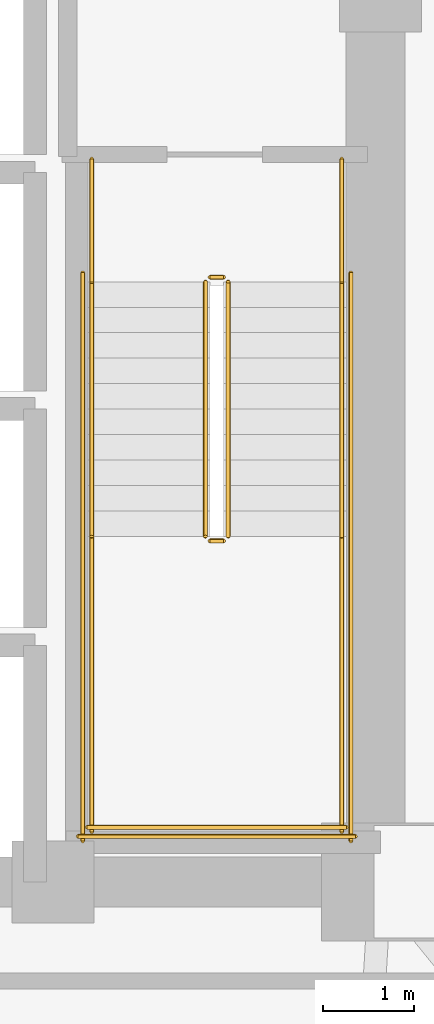
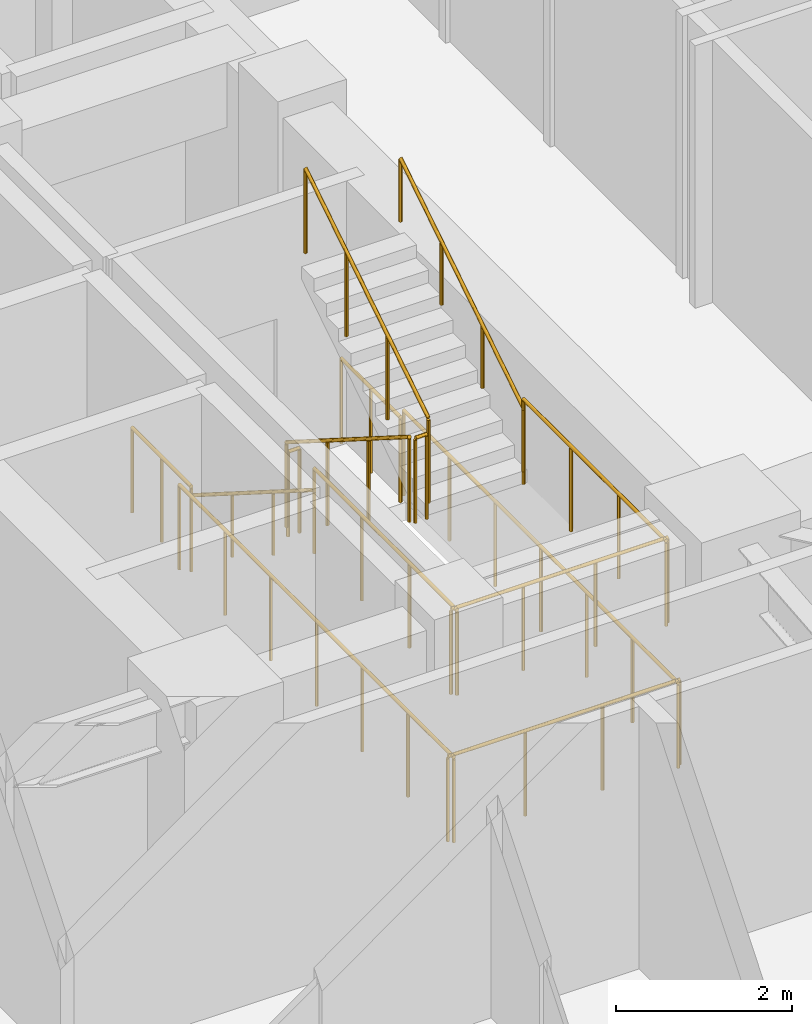
# One storey, part 11 of 11: 14 railings.
"""IFC4 building model written with IfcOpenShell, lengths in metres."""

from ifc_helpers import new_model, si_unit, direction, frame, origin, origin_2d, place, context, subcontext, project, spatial, circle, extrude, material, type_object, element, save


model = new_model("IFC4")

# Units and contexts
model_context = context("Model", 3, precision=1e-05, world=origin(), true_north=direction((0.0, 1.0)))
body_context = subcontext(model_context, "Body", "Model", "MODEL_VIEW")
ifc_project = project(units=[si_unit("LENGTHUNIT", "METRE"), si_unit("AREAUNIT", "SQUARE_METRE"), si_unit("VOLUMEUNIT", "CUBIC_METRE"), si_unit("PLANEANGLEUNIT", "RADIAN"), si_unit("MASSUNIT", "GRAM", prefix="KILO")], contexts=[model_context])

# Site, building, storey
site_placement = place(None, origin())
site = spatial("IfcSite", under=ifc_project, at=site_placement, CompositionType="ELEMENT")
building_placement = place(site_placement, origin())
building = spatial("IfcBuilding", under=site, at=building_placement, Name="Voryun Gate Residences", CompositionType="ELEMENT")
storey_placement = place(building_placement, frame((0.0, 0.0, 105.300048828125)))
storey = spatial("IfcBuildingStorey", under=building, at=storey_placement, Name="L25", CompositionType="ELEMENT", Elevation=105.300048828125)

# Railings
ifc_material_1 = material(Name="Painted steel", Category="steel")
railing_type_1 = type_object("IfcRailingType", Name="RAIL_STAIR_GUARD_1200", PredefinedType="GUARDRAIL", material=ifc_material_1)
railing_1_placement = place(storey_placement, frame((17.27490234375, -0.800048828125, 0.17724609375)))
element("IfcRailing", 1, at=railing_1_placement, inside=storey, type_object=railing_type_1, Name="L25 ST-E1 stair guard 1", PredefinedType="GUARDRAIL", context=body_context, shape_type="SweptSolid", body=[
    extrude(circle(Radius=0.02392578125, at=origin_2d()), frame((0.0, 0.0, 1.17578125), z_axis=(0.0, -0.844908973607, 0.534910110503), x_axis=(1.0, 0.0, 0.0)), (0.0, 0.0, 1.0), 3.31396484375),
    extrude(circle(Radius=0.02099609375, at=origin_2d()), origin(), (0.0, 0.0, 1.0), 1.15185546875),
    extrude(circle(Radius=0.02099609375, at=origin_2d()), frame((0.0, -0.933349609375, 0.5908203125)), (0.0, 0.0, 1.0), 1.15185546875),
    extrude(circle(Radius=0.02099609375, at=origin_2d()), frame((0.0, -1.86669921875, 1.181884765625)), (0.0, 0.0, 1.0), 1.15185546875),
    extrude(circle(Radius=0.02099609375, at=origin_2d()), frame((0.0, -2.800048828125, 1.772705078125)), (0.0, 0.0, 1.0), 1.15185546875),
])
railing_2_placement = place(storey_placement, frame((17.324951171875, -3.64990234375, 1.949951171875)))
element("IfcRailing", 2, at=railing_2_placement, inside=storey, type_object=railing_type_1, Name="L25 ST-E1 stair guard 2", PredefinedType="GUARDRAIL", context=body_context, shape_type="SweptSolid", body=[
    extrude(circle(Radius=0.02392578125, at=origin_2d()), frame((0.0, 0.0, 1.17578125), z_axis=(1.0, 0.0, 0.0), x_axis=(0.0, 1.0, 0.0)), (0.0, 0.0, 1.0), 0.150146484375),
    extrude(circle(Radius=0.02099609375, at=origin_2d()), origin(), (0.0, 0.0, 1.0), 1.15185546875),
    extrude(circle(Radius=0.02099609375, at=origin_2d()), frame((0.150146484375, 0.0, 0.0)), (0.0, 0.0, 1.0), 1.15185546875),
])
for number, where, name in (
    (3, (16.02490234375, -3.60009765625, 1.949951171875), "L25 ST-E1 stair guard 3"),
    (4, (18.77490234375, -3.60009765625, 1.949951171875), "L25 ST-E1 stair guard 4"),
):
    element("IfcRailing", number, at=place(storey_placement, frame(where)), inside=storey, type_object=railing_type_1, Name=name, PredefinedType="GUARDRAIL", context=body_context, shape_type="SweptSolid", body=[
        extrude(circle(Radius=0.02392578125, at=origin_2d()), frame((0.0, 0.0, 1.17578125), z_axis=(0.0, -1.0, 0.0), x_axis=(1.0, 0.0, 0.0)), (0.0, 0.0, 1.0), 3.25),
        extrude(circle(Radius=0.02099609375, at=origin_2d()), origin(), (0.0, 0.0, 1.0), 1.15185546875),
        extrude(circle(Radius=0.02099609375, at=origin_2d()), frame((0.0, -1.083251953125, 0.0)), (0.0, 0.0, 1.0), 1.15185546875),
        extrude(circle(Radius=0.02099609375, at=origin_2d()), frame((0.0, -2.166748046875, 0.0)), (0.0, 0.0, 1.0), 1.15185546875),
        extrude(circle(Radius=0.02099609375, at=origin_2d()), frame((0.0, -3.25, 0.0)), (0.0, 0.0, 1.0), 1.15185546875),
    ])
railing_3_placement = place(storey_placement, frame((15.97509765625, -6.800048828125, 1.949951171875)))
element("IfcRailing", 5, at=railing_3_placement, inside=storey, type_object=railing_type_1, Name="L25 ST-E1 stair guard 5", PredefinedType="GUARDRAIL", context=body_context, shape_type="SweptSolid", body=[
    extrude(circle(Radius=0.02392578125, at=origin_2d()), frame((0.0, 0.0, 1.17578125), z_axis=(1.0, 0.0, 0.0), x_axis=(0.0, 1.0, 0.0)), (0.0, 0.0, 1.0), 2.849853515625),
    extrude(circle(Radius=0.02099609375, at=origin_2d()), origin(), (0.0, 0.0, 1.0), 1.15185546875),
    extrude(circle(Radius=0.02099609375, at=origin_2d()), frame((0.949951171875, 0.0, 0.0)), (0.0, 0.0, 1.0), 1.15185546875),
    extrude(circle(Radius=0.02099609375, at=origin_2d()), frame((1.89990234375, 0.0, 0.0)), (0.0, 0.0, 1.0), 1.15185546875),
    extrude(circle(Radius=0.02099609375, at=origin_2d()), frame((2.849853515625, 0.0, 0.0)), (0.0, 0.0, 1.0), 1.15185546875),
])
railing_4_placement = place(storey_placement, frame((17.52490234375, -3.60009765625, 2.127197265625)))
element("IfcRailing", 6, at=railing_4_placement, inside=storey, type_object=railing_type_1, Name="L25 ST-E1 stair guard 6", PredefinedType="GUARDRAIL", context=body_context, shape_type="SweptSolid", body=[
    extrude(circle(Radius=0.02392578125, at=origin_2d()), frame((0.0, 0.0, 1.17578125), z_axis=(0.0, 0.844908973607, 0.534910110503), x_axis=(-1.0, 0.0, 0.0)), (0.0, 0.0, 1.0), 3.31396484375),
    extrude(circle(Radius=0.02099609375, at=origin_2d()), origin(), (0.0, 0.0, 1.0), 1.15185546875),
    extrude(circle(Radius=0.02099609375, at=origin_2d()), frame((0.0, 0.933349609375, 0.5908203125)), (0.0, 0.0, 1.0), 1.15185546875),
    extrude(circle(Radius=0.02099609375, at=origin_2d()), frame((0.0, 1.86669921875, 1.181884765625)), (0.0, 0.0, 1.0), 1.15185546875),
    extrude(circle(Radius=0.02099609375, at=origin_2d()), frame((0.0, 2.800048828125, 1.772705078125)), (0.0, 0.0, 1.0), 1.15185546875),
])
railing_5_placement = place(storey_placement, frame((17.324951171875, -0.75, 0.0)))
element("IfcRailing", 7, at=railing_5_placement, inside=storey, type_object=railing_type_1, Name="L25 ST-E1 stair guard 7", PredefinedType="GUARDRAIL", context=body_context, shape_type="SweptSolid", body=[
    extrude(circle(Radius=0.02392578125, at=origin_2d()), frame((0.0, 0.0, 1.17578125), z_axis=(1.0, 0.0, 0.0), x_axis=(0.0, 1.0, 0.0)), (0.0, 0.0, 1.0), 0.150146484375),
    extrude(circle(Radius=0.02099609375, at=origin_2d()), origin(), (0.0, 0.0, 1.0), 1.15185546875),
    extrude(circle(Radius=0.02099609375, at=origin_2d()), frame((0.150146484375, 0.0, 0.0)), (0.0, 0.0, 1.0), 1.15185546875),
])
for number, where, name in (
    (8, (16.02490234375, 0.550048828125, 0.0), "L25 ST-E1 stair guard 8"),
    (9, (18.77490234375, 0.550048828125, 0.0), "L25 ST-E1 stair guard 9"),
):
    element("IfcRailing", number, at=place(storey_placement, frame(where)), inside=storey, type_object=railing_type_1, Name=name, PredefinedType="GUARDRAIL", context=body_context, shape_type="SweptSolid", body=[
        extrude(circle(Radius=0.02392578125, at=origin_2d()), frame((0.0, 0.0, 1.17578125), z_axis=(0.0, -1.0, 0.0), x_axis=(1.0, 0.0, 0.0)), (0.0, 0.0, 1.0), 1.35009765625),
        extrude(circle(Radius=0.02099609375, at=origin_2d()), origin(), (0.0, 0.0, 1.0), 1.15185546875),
        extrude(circle(Radius=0.02099609375, at=origin_2d()), frame((0.0, -0.675048828125, 0.0)), (0.0, 0.0, 1.0), 1.15185546875),
        extrude(circle(Radius=0.02099609375, at=origin_2d()), frame((0.0, -1.35009765625, 0.0)), (0.0, 0.0, 1.0), 1.15185546875),
    ])
for number, where, name in (
    (10, (15.925048828125, -0.699951171875, 0.0), "L25 ST-E1 stair guard 10"),
    (11, (18.875, -0.699951171875, 0.0), "L25 ST-E1 stair guard 11"),
):
    element("IfcRailing", number, at=place(storey_placement, frame(where)), inside=storey, type_object=railing_type_1, Name=name, PredefinedType="GUARDRAIL", context=body_context, shape_type="SweptSolid", body=[
        extrude(circle(Radius=0.02392578125, at=origin_2d()), frame((0.0, 0.0, 1.17578125), z_axis=(0.0, -1.0, 0.0), x_axis=(1.0, 0.0, 0.0)), (0.0, 0.0, 1.0), 6.25),
        extrude(circle(Radius=0.02099609375, at=origin_2d()), origin(), (0.0, 0.0, 1.0), 1.15185546875),
        extrude(circle(Radius=0.02099609375, at=origin_2d()), frame((0.0, -1.041748046875, 0.0)), (0.0, 0.0, 1.0), 1.15185546875),
        extrude(circle(Radius=0.02099609375, at=origin_2d()), frame((0.0, -2.083251953125, 0.0)), (0.0, 0.0, 1.0), 1.15185546875),
        extrude(circle(Radius=0.02099609375, at=origin_2d()), frame((0.0, -3.125, 0.0)), (0.0, 0.0, 1.0), 1.15185546875),
        extrude(circle(Radius=0.02099609375, at=origin_2d()), frame((0.0, -4.166748046875, 0.0)), (0.0, 0.0, 1.0), 1.15185546875),
        extrude(circle(Radius=0.02099609375, at=origin_2d()), frame((0.0, -5.208251953125, 0.0)), (0.0, 0.0, 1.0), 1.15185546875),
        extrude(circle(Radius=0.02099609375, at=origin_2d()), frame((0.0, -6.25, 0.0)), (0.0, 0.0, 1.0), 1.15185546875),
    ])
railing_6_placement = place(storey_placement, frame((15.875, -6.89990234375, 0.0)))
element("IfcRailing", 12, at=railing_6_placement, inside=storey, type_object=railing_type_1, Name="L25 ST-E1 stair guard 12", PredefinedType="GUARDRAIL", context=body_context, shape_type="SweptSolid", body=[
    extrude(circle(Radius=0.02392578125, at=origin_2d()), frame((0.0, 0.0, 1.17578125), z_axis=(1.0, 0.0, 0.0), x_axis=(0.0, 1.0, 0.0)), (0.0, 0.0, 1.0), 3.050048828125),
    extrude(circle(Radius=0.02099609375, at=origin_2d()), origin(), (0.0, 0.0, 1.0), 1.15185546875),
    extrude(circle(Radius=0.02099609375, at=origin_2d()), frame((1.0166015625, 0.0, 0.0)), (0.0, 0.0, 1.0), 1.15185546875),
    extrude(circle(Radius=0.02099609375, at=origin_2d()), frame((2.033447265625, 0.0, 0.0)), (0.0, 0.0, 1.0), 1.15185546875),
    extrude(circle(Radius=0.02099609375, at=origin_2d()), frame((3.050048828125, 0.0, 0.0)), (0.0, 0.0, 1.0), 1.15185546875),
])
ifc_material_2 = material(Name="Painted steel", Category="steel")
railing_type_2 = type_object("IfcRailingType", Name="RAIL_STAIR_HANDRAIL_900", PredefinedType="HANDRAIL", material=ifc_material_2)
railing_7_placement = place(storey_placement, frame((16.02490234375, -0.800048828125, 0.17724609375)))
element("IfcRailing", 13, at=railing_7_placement, inside=storey, type_object=railing_type_2, Name="L25 ST-E1 stair handrail 1", PredefinedType="HANDRAIL", context=body_context, shape_type="SweptSolid", body=[
    extrude(circle(Radius=0.02392578125, at=origin_2d()), frame((0.0, 0.0, 0.8759765625), z_axis=(0.0, -0.844908973607, 0.534910110503), x_axis=(1.0, 0.0, 0.0)), (0.0, 0.0, 1.0), 3.31396484375),
    extrude(circle(Radius=0.02099609375, at=origin_2d()), origin(), (0.0, 0.0, 1.0), 0.851806640625),
    extrude(circle(Radius=0.02099609375, at=origin_2d()), frame((0.0, -0.933349609375, 0.5908203125)), (0.0, 0.0, 1.0), 0.851806640625),
    extrude(circle(Radius=0.02099609375, at=origin_2d()), frame((0.0, -1.86669921875, 1.181884765625)), (0.0, 0.0, 1.0), 0.851806640625),
    extrude(circle(Radius=0.02099609375, at=origin_2d()), frame((0.0, -2.800048828125, 1.772705078125)), (0.0, 0.0, 1.0), 0.851806640625),
])
railing_8_placement = place(storey_placement, frame((18.77490234375, -3.60009765625, 2.127197265625)))
element("IfcRailing", 14, at=railing_8_placement, inside=storey, type_object=railing_type_2, Name="L25 ST-E1 stair handrail 2", PredefinedType="HANDRAIL", context=body_context, shape_type="SweptSolid", body=[
    extrude(circle(Radius=0.02392578125, at=origin_2d()), frame((0.0, 0.0, 0.8759765625), z_axis=(0.0, 0.844908973607, 0.534910110503), x_axis=(-1.0, 0.0, 0.0)), (0.0, 0.0, 1.0), 3.31396484375),
    extrude(circle(Radius=0.02099609375, at=origin_2d()), origin(), (0.0, 0.0, 1.0), 0.851806640625),
    extrude(circle(Radius=0.02099609375, at=origin_2d()), frame((0.0, 0.933349609375, 0.5908203125)), (0.0, 0.0, 1.0), 0.851806640625),
    extrude(circle(Radius=0.02099609375, at=origin_2d()), frame((0.0, 1.86669921875, 1.181884765625)), (0.0, 0.0, 1.0), 0.851806640625),
    extrude(circle(Radius=0.02099609375, at=origin_2d()), frame((0.0, 2.800048828125, 1.772705078125)), (0.0, 0.0, 1.0), 0.851806640625),
])

save(model, "model.ifc")
